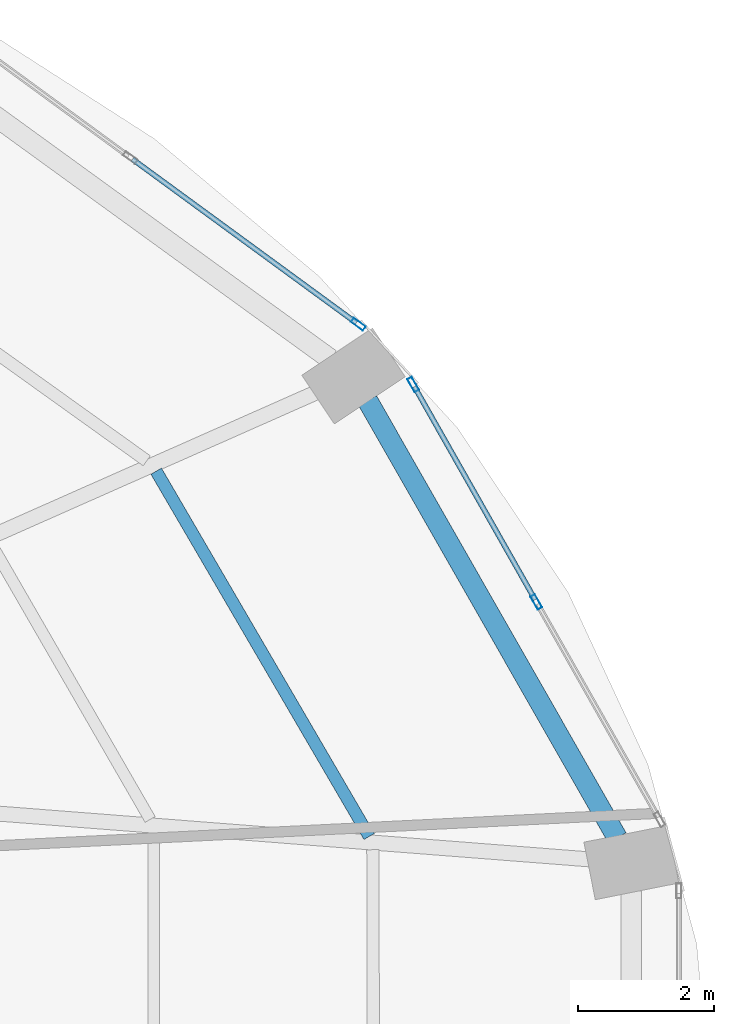
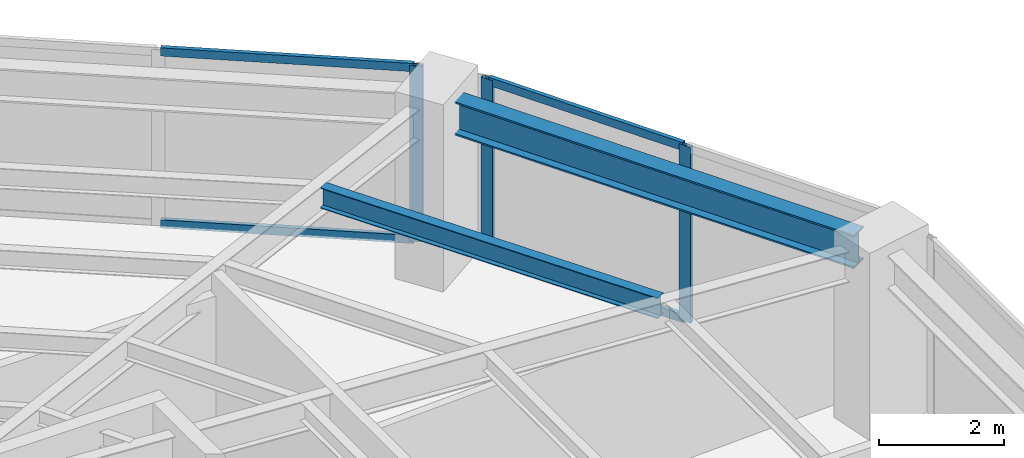
# One storey, part 18 of 24: 7 members, 2 beams, 2 elements without a shape of their own.
"""IFC4 building model written with IfcOpenShell, lengths in metres."""

from ifc_helpers import new_model, si_unit, direction, frame, origin, origin_2d, place, context, subcontext, project, spatial, hollow_rectangle, i_section, extrude, material, layer, layer_set, material_profile, profile_set, type_object, element, aggregate, save


model = new_model("IFC4")

# Units and contexts
model_context = context("Model", 3, precision=1e-05, world=origin(), true_north=direction((0.0, 1.0)))
body_context = subcontext(model_context, "Body", "Model", "MODEL_VIEW")
ifc_project = project(units=[si_unit("LENGTHUNIT", "METRE"), si_unit("AREAUNIT", "SQUARE_METRE"), si_unit("VOLUMEUNIT", "CUBIC_METRE"), si_unit("PLANEANGLEUNIT", "RADIAN"), si_unit("MASSUNIT", "GRAM", prefix="KILO")], contexts=[model_context])

# Site, building, storey
site_placement = place(None, origin())
site = spatial("IfcSite", under=ifc_project, at=site_placement, CompositionType="ELEMENT")
building_placement = place(site_placement, origin())
building = spatial("IfcBuilding", under=site, at=building_placement, Name="Lazwardi Medical Tower", CompositionType="ELEMENT")
storey_placement = place(building_placement, frame((0.0, 0.0, 65.327880859375)))
storey = spatial("IfcBuildingStorey", under=building, at=storey_placement, Name="L16", CompositionType="ELEMENT", Elevation=65.327880859375)

# Beams
ifc_material_1 = material(Name="Steel S355", Category="steel")
ifc_material_profile_1 = material_profile(ifc_material_1, i_section(OverallWidth=0.300048828125, OverallDepth=0.64990234375, WebThickness=0.01611328125, FlangeThickness=0.031005859375, at=origin_2d()), Name="HEB 650")
ifc_profile_set_1 = profile_set([ifc_material_profile_1], Name="Steel S355")
beam_type_1 = type_object("IfcBeamType", Name="BM-RB-Z1", PredefinedType="BEAM", material=ifc_profile_set_1)
beam_1_placement = place(storey_placement, frame((62.591796875, 34.63232421875, 3.10302734375), z_axis=(-0.49581512241, 0.868428099724, 0.0), x_axis=(-0.868428099724, -0.49581512241, 0.0)))
element("IfcBeam", 1, at=beam_1_placement, inside=storey, type_object=beam_type_1, Name="Ring beam RB-02 B05 L16", PredefinedType="BEAM", context=body_context, shape_type="SweptSolid", body=[
    extrude(i_section(OverallWidth=0.300048828125, OverallDepth=0.64990234375, WebThickness=0.01611328125, FlangeThickness=0.031005859375, at=origin_2d()), origin(), (0.0, 0.0, 1.0), 7.389404296875),
])
ifc_material_profile_2 = material_profile(ifc_material_1, i_section(OverallWidth=0.179931640625, OverallDepth=0.39990234375, WebThickness=0.008544921875, FlangeThickness=0.013427734375, at=origin_2d()), Name="IPE 400")
ifc_profile_set_2 = profile_set([ifc_material_profile_2], Name="Steel S355")
beam_type_2 = type_object("IfcBeamType", Name="BM-SJ-01", PredefinedType="JOIST", material=ifc_profile_set_2)
beam_2_placement = place(storey_placement, frame((58.951171875, 34.65234375, 3.22802734375), z_axis=(-0.503846579557, 0.863793160582, 0.0), x_axis=(-0.863793160582, -0.503846579557, 0.0)))
element("IfcBeam", 2, at=beam_2_placement, inside=storey, type_object=beam_type_2, Name="Secondary joist SJ-01 R1 B05 L16", PredefinedType="JOIST", context=body_context, shape_type="SweptSolid", body=[
    extrude(i_section(OverallWidth=0.179931640625, OverallDepth=0.39990234375, WebThickness=0.008544921875, FlangeThickness=0.013427734375, at=origin_2d()), origin(), (0.0, 0.0, 1.0), 6.20947265625),
])

# Curtain wall, members
ifc_material_2 = material(Name="Anodised bronze aluminium and solar control glazing", Category="aluminium")
ifc_layer = layer(ifc_material_2, 0.199951171875)
ifc_layer_set = layer_set([ifc_layer], Name="Anodised bronze aluminium and solar control glazing")
curtain_wall_type = type_object("IfcCurtainWallType", Name="CW-SYS-02", PredefinedType="NOTDEFINED", material=ifc_layer_set)
curtain_wall_1_placement = place(storey_placement, origin())
curtain_wall_1 = element("IfcCurtainWall", 3, at=curtain_wall_1_placement, inside=storey, type_object=curtain_wall_type, Name="L16 Unitised bronze curtain wall CW-02", PredefinedType="NOTDEFINED")
ifc_material_3 = material(Name="Anodised bronze aluminium", Category="aluminium")
ifc_material_profile_3 = material_profile(ifc_material_3, hollow_rectangle(XDim=0.074951171875, YDim=0.219970703125, WallThickness=0.00390625, at=origin_2d()), Name="ALU-MULLION 220x75x4")
ifc_profile_set_3 = profile_set([ifc_material_profile_3], Name="Anodised bronze aluminium")
member_type_1 = type_object("IfcMemberType", Name="CW-MUL-01", PredefinedType="MULLION", material=ifc_profile_set_3)
member_1_placement = place(storey_placement, frame((61.4052734375, 38.095458984375, 0.0), z_axis=(0.0, 0.0, 1.0), x_axis=(-0.870111838823, -0.492854327303, 0.0)))
member_1 = element("IfcMember", 4, at=member_1_placement, type_object=member_type_1, Name="CW-02 mullion 2", PredefinedType="MULLION", context=body_context, shape_type="SweptSolid", body=[
    extrude(hollow_rectangle(XDim=0.074951171875, YDim=0.219970703125, WallThickness=0.00390625, at=origin_2d()), origin(), (0.0, 0.0, 1.0), 3.42822265625),
])
member_2_placement = place(storey_placement, frame((59.5966796875, 41.28857421875, 0.0), z_axis=(0.0, 0.0, 1.0), x_axis=(-0.870111838823, -0.492854327303, 0.0)))
member_2 = element("IfcMember", 5, at=member_2_placement, type_object=member_type_1, Name="CW-02 mullion 3", PredefinedType="MULLION", context=body_context, shape_type="SweptSolid", body=[
    extrude(hollow_rectangle(XDim=0.074951171875, YDim=0.219970703125, WallThickness=0.00390625, at=origin_2d()), origin(), (0.0, 0.0, 1.0), 3.42822265625),
])

# Curtain wall, member
curtain_wall_2_placement = place(storey_placement, origin())
curtain_wall_2 = element("IfcCurtainWall", 6, at=curtain_wall_2_placement, inside=storey, type_object=curtain_wall_type, Name="L16 Unitised bronze curtain wall CW-02", PredefinedType="NOTDEFINED")
member_3_placement = place(storey_placement, frame((58.790283203125, 42.172607421875, 0.0), z_axis=(0.0, 0.0, 1.0), x_axis=(-0.590289307341, -0.807191757663, 0.0)))
member_3 = element("IfcMember", 7, at=member_3_placement, type_object=member_type_1, Name="CW-02 mullion 1", PredefinedType="MULLION", context=body_context, shape_type="SweptSolid", body=[
    extrude(hollow_rectangle(XDim=0.074951171875, YDim=0.219970703125, WallThickness=0.00390625, at=origin_2d()), origin(), (0.0, 0.0, 1.0), 3.42822265625),
])

# Member
ifc_material_profile_4 = material_profile(ifc_material_3, hollow_rectangle(XDim=0.074951171875, YDim=0.159912109375, WallThickness=0.00390625, at=origin_2d()), Name="ALU-TRANSOM 160x75x4")
ifc_profile_set_4 = profile_set([ifc_material_profile_4], Name="Anodised bronze aluminium")
member_type_2 = type_object("IfcMemberType", Name="CW-TRN-01", PredefinedType="USERDEFINED", material=ifc_profile_set_4)
member_4_placement = place(storey_placement, frame((61.386962890625, 38.128173828125, 0.03759765625), z_axis=(-0.492880614687, 0.870096948429, 0.0), x_axis=(-0.870096948429, -0.492880614687, 0.0)))
member_4 = element("IfcMember", 8, at=member_4_placement, type_object=member_type_2, Name="CW-02 transom 2.1", ObjectType="TRANSOM", PredefinedType="USERDEFINED", context=body_context, shape_type="SweptSolid", body=[
    extrude(hollow_rectangle(XDim=0.074951171875, YDim=0.159912109375, WallThickness=0.00390625, at=origin_2d()), origin(), (0.0, 0.0, 1.0), 3.5947265625),
])

member_5_placement = place(storey_placement, frame((61.386962890625, 38.128173828125, 3.390625), z_axis=(-0.492880614687, 0.870096948429, 0.0), x_axis=(-0.870096948429, -0.492880614687, 0.0)))
member_5 = element("IfcMember", 9, at=member_5_placement, type_object=member_type_2, Name="CW-02 transom 2.2", ObjectType="TRANSOM", PredefinedType="USERDEFINED", context=body_context, shape_type="SweptSolid", body=[
    extrude(hollow_rectangle(XDim=0.074951171875, YDim=0.159912109375, WallThickness=0.00390625, at=origin_2d()), origin(), (0.0, 0.0, 1.0), 3.5947265625),
])

aggregate(curtain_wall_1, [member_1, member_2, member_4, member_5])

member_6_placement = place(storey_placement, frame((58.760009765625, 42.194580078125, 0.03759765625), z_axis=(-0.807189956199, 0.590291770748, 0.0), x_axis=(-0.590291770748, -0.807189956199, 0.0)))
member_6 = element("IfcMember", 10, at=member_6_placement, type_object=member_type_2, Name="CW-02 transom 1.1", ObjectType="TRANSOM", PredefinedType="USERDEFINED", context=body_context, shape_type="SweptSolid", body=[
    extrude(hollow_rectangle(XDim=0.074951171875, YDim=0.159912109375, WallThickness=0.00390625, at=origin_2d()), origin(), (0.0, 0.0, 1.0), 4.070068359375),
])

member_7_placement = place(storey_placement, frame((58.760009765625, 42.194580078125, 3.390625), z_axis=(-0.807189956199, 0.590291770748, 0.0), x_axis=(-0.590291770748, -0.807189956199, 0.0)))
member_7 = element("IfcMember", 11, at=member_7_placement, type_object=member_type_2, Name="CW-02 transom 1.2", ObjectType="TRANSOM", PredefinedType="USERDEFINED", context=body_context, shape_type="SweptSolid", body=[
    extrude(hollow_rectangle(XDim=0.074951171875, YDim=0.159912109375, WallThickness=0.00390625, at=origin_2d()), origin(), (0.0, 0.0, 1.0), 4.070068359375),
])

aggregate(curtain_wall_2, [member_3, member_6, member_7])

save(model, "model.ifc")
